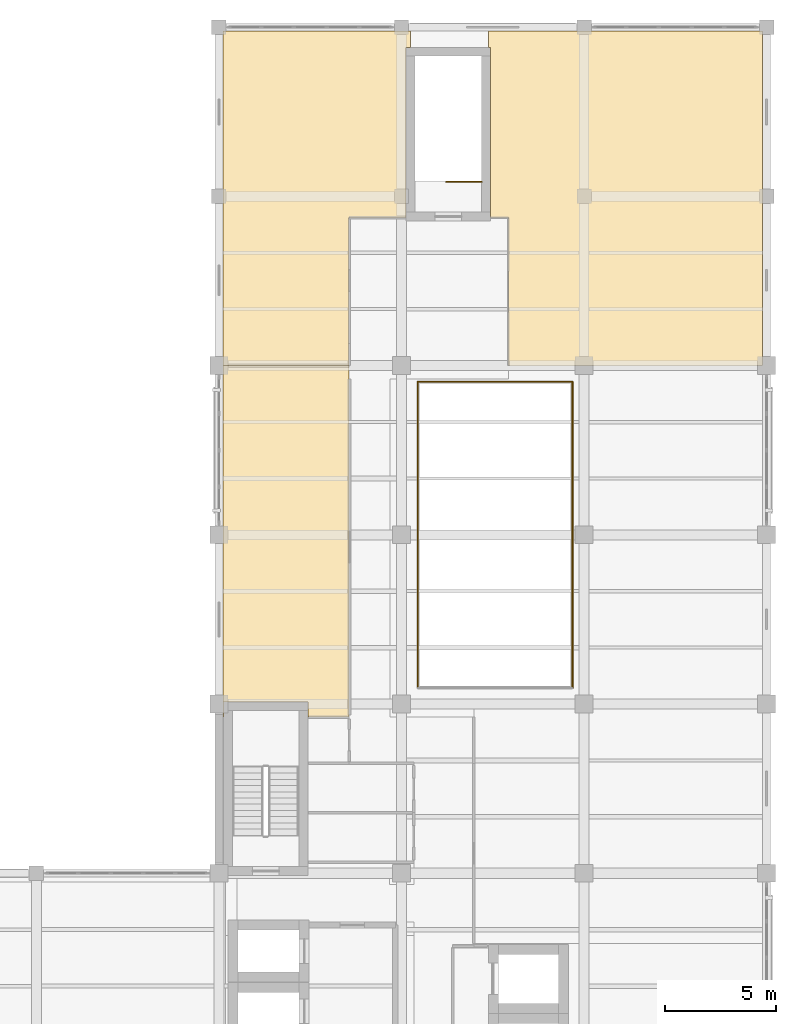
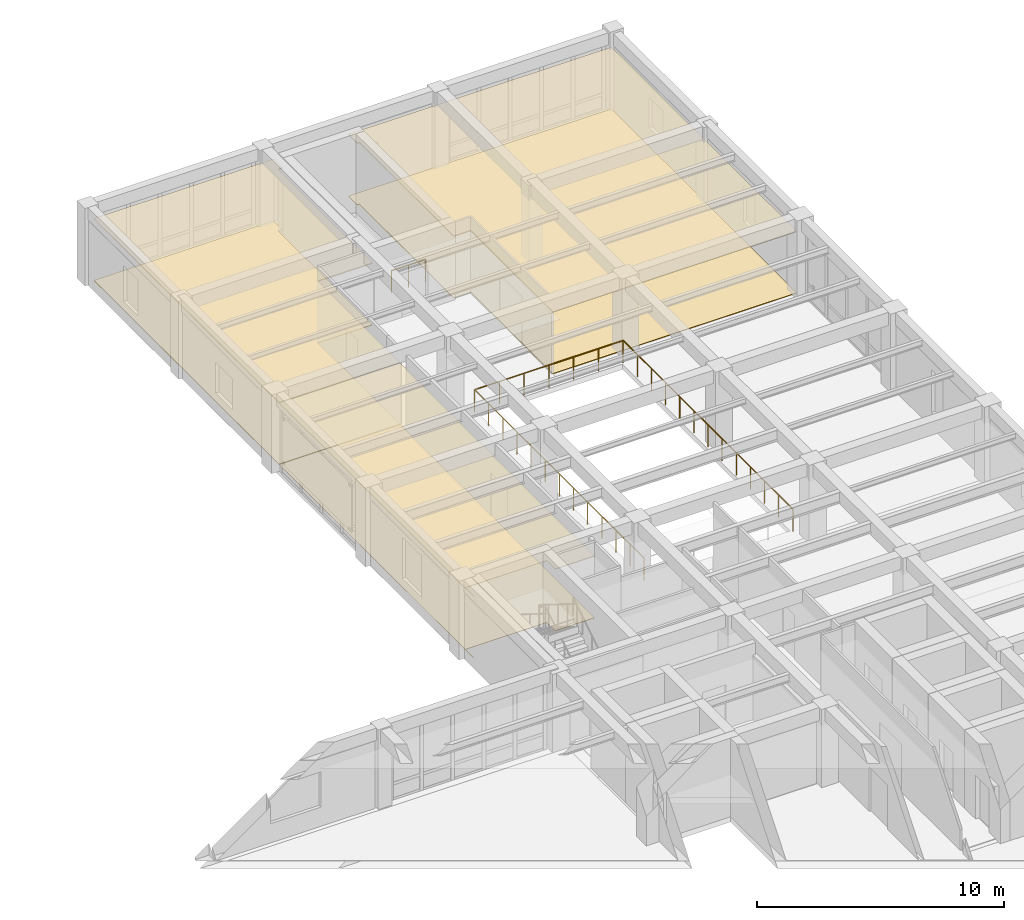
# One storey, part 15 of 15: 6 coverings, 4 railings.
"""IFC4 building model written with IfcOpenShell, lengths in metres."""

from ifc_helpers import new_model, si_unit, direction, frame, origin, origin_2d, place, context, subcontext, project, spatial, polyline, circle, outline, extrude, material, layer, layer_set, type_object, element, save


model = new_model("IFC4")

# Units and contexts
model_context = context("Model", 3, precision=1e-05, world=origin(), true_north=direction((0.0, 1.0)))
body_context = subcontext(model_context, "Body", "Model", "MODEL_VIEW")
ifc_project = project(units=[si_unit("LENGTHUNIT", "METRE"), si_unit("AREAUNIT", "SQUARE_METRE"), si_unit("VOLUMEUNIT", "CUBIC_METRE"), si_unit("PLANEANGLEUNIT", "RADIAN"), si_unit("MASSUNIT", "GRAM", prefix="KILO")], contexts=[model_context])

# Site, building, storey
site_placement = place(None, origin())
site = spatial("IfcSite", under=ifc_project, at=site_placement, CompositionType="ELEMENT")
building_placement = place(site_placement, origin())
building = spatial("IfcBuilding", under=site, at=building_placement, Name="Qandaris Square Conservatory and Botanical Centre", CompositionType="ELEMENT")
storey_placement = place(building_placement, frame((0.0, 0.0, 32.39990234375)))
storey = spatial("IfcBuildingStorey", under=building, at=storey_placement, Name="L07", CompositionType="ELEMENT", Elevation=32.39990234375)

# Coverings
ifc_material_1 = material(Name="Honed Qatari Limestone", Category="masonry")
ifc_layer_1 = layer(ifc_material_1, 0.030029296875)
ifc_layer_set_1 = layer_set([ifc_layer_1], Name="Honed Qatari Limestone")
covering_type_1 = type_object("IfcCoveringType", Name="Honed Qatari Limestone Concourse Paving", PredefinedType="FLOORING", material=ifc_layer_set_1)
covering_1_placement = place(storey_placement, origin())
element("IfcCovering", 1, at=covering_1_placement, inside=storey, type_object=covering_type_1, Name="Bioinformatics Collaborative Seminar Room Flooring", PredefinedType="FLOORING", context=body_context, shape_type="SweptSolid", body=[
    extrude(outline(polyline([(147.800048828125, 76.5), (147.60009765625, 76.5), (147.60009765625, 68.85009765625), (145.050048828125, 68.85009765625), (145.050048828125, 63.199951171875), (145.050048828125, 62.199951171875), (139.3798828125, 62.199951171875), (139.3798828125, 77.219970703125), (147.800048828125, 77.219970703125), (147.800048828125, 76.5)])), origin(), (0.0, 0.0, 1.0), 0.030029296875),
])
covering_2_placement = place(storey_placement, origin())
element("IfcCovering", 2, at=covering_2_placement, inside=storey, type_object=covering_type_1, Name="North Terrace Lounge L07 Flooring", PredefinedType="FLOORING", context=body_context, shape_type="SweptSolid", body=[
    extrude(outline(polyline([(152.199951171875, 62.199951171875), (152.199951171875, 68.85009765625), (151.39990234375, 68.85009765625), (151.39990234375, 76.5), (151.300048828125, 76.5), (151.300048828125, 77.219970703125), (163.6201171875, 77.219970703125), (163.6201171875, 62.199951171875), (152.199951171875, 62.199951171875)])), origin(), (0.0, 0.0, 1.0), 0.030029296875),
])
ifc_material_2 = material(Name="Gypsum Plasterboard", Category="gypsum")
ifc_layer_2 = layer(ifc_material_2, 0.02490234375)
ifc_layer_set_2 = layer_set([ifc_layer_2], Name="Gypsum Plasterboard")
covering_type_2 = type_object("IfcCoveringType", Name="Perforated Acoustic Lab Ceiling Tile", PredefinedType="CEILING", material=ifc_layer_set_2)
covering_3_placement = place(storey_placement, frame((0.0, 0.0, 3.050048828125)))
element("IfcCovering", 3, at=covering_3_placement, inside=storey, type_object=covering_type_2, Name="Isotope Biogeochemistry Specimen Prep Room Ceiling", PredefinedType="CEILING", context=body_context, shape_type="SweptSolid", body=[
    extrude(outline(polyline([(145.050048828125, 61.60009765625), (145.050048828125, 46.419921875), (143.199951171875, 46.419921875), (143.199951171875, 47.10009765625), (139.39990234375, 47.10009765625), (139.39990234375, 46.419921875), (139.3798828125, 46.419921875), (139.3798828125, 62.199951171875), (145.050048828125, 62.199951171875), (145.050048828125, 61.60009765625)])), origin(), (0.0, 0.0, 1.0), 0.025146484375),
])
ifc_material_3 = material(Name="Epoxy Resin Screed", Category="finish")
ifc_layer_3 = layer(ifc_material_3, 0.014892578125)
ifc_layer_set_3 = layer_set([ifc_layer_3], Name="Epoxy Resin Screed")
covering_type_3 = type_object("IfcCoveringType", Name="Seamless Epoxy Laboratory Flooring", PredefinedType="FLOORING", material=ifc_layer_set_3)
covering_4_placement = place(storey_placement, origin())
element("IfcCovering", 4, at=covering_4_placement, inside=storey, type_object=covering_type_3, Name="Isotope Biogeochemistry Specimen Prep Room Flooring", PredefinedType="FLOORING", context=body_context, shape_type="SweptSolid", body=[
    extrude(outline(polyline([(145.050048828125, 61.60009765625), (145.050048828125, 46.419921875), (143.199951171875, 46.419921875), (143.199951171875, 47.10009765625), (139.39990234375, 47.10009765625), (139.39990234375, 46.419921875), (139.3798828125, 46.419921875), (139.3798828125, 62.199951171875), (145.050048828125, 62.199951171875), (145.050048828125, 61.60009765625)])), origin(), (0.0, 0.0, 1.0), 0.01513671875),
])
ifc_material_4 = material(Name="Engineered Oak Timber", Category="wood")
ifc_layer_4 = layer(ifc_material_4, 0.0400390625)
ifc_layer_set_4 = layer_set([ifc_layer_4], Name="Engineered Oak Timber")
covering_type_4 = type_object("IfcCoveringType", Name="Slatted Oak Acoustic Gallery Ceiling", PredefinedType="CEILING", material=ifc_layer_set_4)
covering_5_placement = place(storey_placement, frame((0.0, 0.0, 3.050048828125)))
element("IfcCovering", 5, at=covering_5_placement, inside=storey, type_object=covering_type_4, Name="Bioinformatics Collaborative Seminar Room Ceiling", PredefinedType="CEILING", context=body_context, shape_type="SweptSolid", body=[
    extrude(outline(polyline([(147.800048828125, 76.5), (147.60009765625, 76.5), (147.60009765625, 68.85009765625), (145.050048828125, 68.85009765625), (145.050048828125, 63.199951171875), (145.050048828125, 62.199951171875), (139.3798828125, 62.199951171875), (139.3798828125, 77.219970703125), (147.800048828125, 77.219970703125), (147.800048828125, 76.5)])), origin(), (0.0, 0.0, 1.0), 0.0400390625),
])
covering_6_placement = place(storey_placement, frame((0.0, 0.0, 3.050048828125)))
element("IfcCovering", 6, at=covering_6_placement, inside=storey, type_object=covering_type_4, Name="North Terrace Lounge L07 Ceiling", PredefinedType="CEILING", context=body_context, shape_type="SweptSolid", body=[
    extrude(outline(polyline([(152.199951171875, 62.199951171875), (152.199951171875, 68.85009765625), (151.39990234375, 68.85009765625), (151.39990234375, 76.5), (151.300048828125, 76.5), (151.300048828125, 77.219970703125), (163.6201171875, 77.219970703125), (163.6201171875, 62.199951171875), (152.199951171875, 62.199951171875)])), origin(), (0.0, 0.0, 1.0), 0.0400390625),
])

# Railings
ifc_material_5 = material(Name="Stainless Steel", Category="steel")
railing_type = type_object("IfcRailingType", Name="Stairwell & Atrium Guardrail 1120mm", PredefinedType="GUARDRAIL", material=ifc_material_5)
railing_1_placement = place(storey_placement, frame((151.0, 70.449951171875, 0.0)))
element("IfcRailing", 7, at=railing_1_placement, inside=storey, type_object=railing_type, Name="L07 ST-3 top well guard 1", PredefinedType="GUARDRAIL", context=body_context, shape_type="SweptSolid", body=[
    extrude(circle(Radius=0.02392578125, at=origin_2d()), frame((0.0, 0.0, 1.09619140625), z_axis=(-1.0, 0.0, 0.0), x_axis=(0.0, -1.0, 0.0)), (0.0, 0.0, 1.0), 1.60009765625),
    extrude(circle(Radius=0.02099609375, at=origin_2d()), origin(), (0.0, 0.0, 1.0), 1.072021484375),
    extrude(circle(Radius=0.02099609375, at=origin_2d()), frame((-0.800048828125, 0.0, 0.0)), (0.0, 0.0, 1.0), 1.072021484375),
    extrude(circle(Radius=0.02099609375, at=origin_2d()), frame((-1.60009765625, 0.0, 0.0)), (0.0, 0.0, 1.0), 1.072021484375),
])
railing_2_placement = place(storey_placement, frame((155.080078125, 47.719970703125, 0.0)))
element("IfcRailing", 8, at=railing_2_placement, inside=storey, type_object=railing_type, Name="Atrium Void Guardrail TWR-L07-2", PredefinedType="GUARDRAIL", context=body_context, shape_type="SweptSolid", body=[
    extrude(circle(Radius=0.02392578125, at=origin_2d()), frame((0.0, 0.0, 1.09619140625), z_axis=(0.0, 1.0, 0.0), x_axis=(-1.0, 0.0, 0.0)), (0.0, 0.0, 1.0), 13.760009765625),
    extrude(circle(Radius=0.02099609375, at=origin_2d()), origin(), (0.0, 0.0, 1.0), 1.072021484375),
    extrude(circle(Radius=0.02099609375, at=origin_2d()), frame((0.0, 1.146728515625, 0.0)), (0.0, 0.0, 1.0), 1.072021484375),
    extrude(circle(Radius=0.02099609375, at=origin_2d()), frame((0.0, 2.29345703125, 0.0)), (0.0, 0.0, 1.0), 1.072021484375),
    extrude(circle(Radius=0.02099609375, at=origin_2d()), frame((0.0, 3.43994140625, 0.0)), (0.0, 0.0, 1.0), 1.072021484375),
    extrude(circle(Radius=0.02099609375, at=origin_2d()), frame((0.0, 4.586669921875, 0.0)), (0.0, 0.0, 1.0), 1.072021484375),
    extrude(circle(Radius=0.02099609375, at=origin_2d()), frame((0.0, 5.7333984375, 0.0)), (0.0, 0.0, 1.0), 1.072021484375),
    extrude(circle(Radius=0.02099609375, at=origin_2d()), frame((0.0, 6.8798828125, 0.0)), (0.0, 0.0, 1.0), 1.072021484375),
    extrude(circle(Radius=0.02099609375, at=origin_2d()), frame((0.0, 8.026611328125, 0.0)), (0.0, 0.0, 1.0), 1.072021484375),
    extrude(circle(Radius=0.02099609375, at=origin_2d()), frame((0.0, 9.17333984375, 0.0)), (0.0, 0.0, 1.0), 1.072021484375),
    extrude(circle(Radius=0.02099609375, at=origin_2d()), frame((0.0, 10.320068359375, 0.0)), (0.0, 0.0, 1.0), 1.072021484375),
    extrude(circle(Radius=0.02099609375, at=origin_2d()), frame((0.0, 11.466796875, 0.0)), (0.0, 0.0, 1.0), 1.072021484375),
    extrude(circle(Radius=0.02099609375, at=origin_2d()), frame((0.0, 12.61328125, 0.0)), (0.0, 0.0, 1.0), 1.072021484375),
    extrude(circle(Radius=0.02099609375, at=origin_2d()), frame((0.0, 13.760009765625, 0.0)), (0.0, 0.0, 1.0), 1.072021484375),
])
railing_3_placement = place(storey_placement, frame((155.080078125, 61.47998046875, 0.0)))
element("IfcRailing", 9, at=railing_3_placement, inside=storey, type_object=railing_type, Name="Atrium Void Guardrail TWR-L07-3", PredefinedType="GUARDRAIL", context=body_context, shape_type="SweptSolid", body=[
    extrude(circle(Radius=0.02392578125, at=origin_2d()), frame((0.0, 0.0, 1.09619140625), z_axis=(-1.0, 0.0, 0.0), x_axis=(0.0, -1.0, 0.0)), (0.0, 0.0, 1.0), 6.9599609375),
    extrude(circle(Radius=0.02099609375, at=origin_2d()), origin(), (0.0, 0.0, 1.0), 1.072021484375),
    extrude(circle(Radius=0.02099609375, at=origin_2d()), frame((-1.159912109375, 0.0, 0.0)), (0.0, 0.0, 1.0), 1.072021484375),
    extrude(circle(Radius=0.02099609375, at=origin_2d()), frame((-2.320068359375, 0.0, 0.0)), (0.0, 0.0, 1.0), 1.072021484375),
    extrude(circle(Radius=0.02099609375, at=origin_2d()), frame((-3.47998046875, 0.0, 0.0)), (0.0, 0.0, 1.0), 1.072021484375),
    extrude(circle(Radius=0.02099609375, at=origin_2d()), frame((-4.639892578125, 0.0, 0.0)), (0.0, 0.0, 1.0), 1.072021484375),
    extrude(circle(Radius=0.02099609375, at=origin_2d()), frame((-5.800048828125, 0.0, 0.0)), (0.0, 0.0, 1.0), 1.072021484375),
    extrude(circle(Radius=0.02099609375, at=origin_2d()), frame((-6.9599609375, 0.0, 0.0)), (0.0, 0.0, 1.0), 1.072021484375),
])
railing_4_placement = place(storey_placement, frame((148.1201171875, 61.47998046875, 0.0)))
element("IfcRailing", 10, at=railing_4_placement, inside=storey, type_object=railing_type, Name="Atrium Void Guardrail TWR-L07-4", PredefinedType="GUARDRAIL", context=body_context, shape_type="SweptSolid", body=[
    extrude(circle(Radius=0.02392578125, at=origin_2d()), frame((0.0, 0.0, 1.09619140625), z_axis=(0.0, -1.0, 0.0), x_axis=(1.0, 0.0, 0.0)), (0.0, 0.0, 1.0), 13.760009765625),
    extrude(circle(Radius=0.02099609375, at=origin_2d()), origin(), (0.0, 0.0, 1.0), 1.072021484375),
    extrude(circle(Radius=0.02099609375, at=origin_2d()), frame((0.0, -1.146728515625, 0.0)), (0.0, 0.0, 1.0), 1.072021484375),
    extrude(circle(Radius=0.02099609375, at=origin_2d()), frame((0.0, -2.29345703125, 0.0)), (0.0, 0.0, 1.0), 1.072021484375),
    extrude(circle(Radius=0.02099609375, at=origin_2d()), frame((0.0, -3.43994140625, 0.0)), (0.0, 0.0, 1.0), 1.072021484375),
    extrude(circle(Radius=0.02099609375, at=origin_2d()), frame((0.0, -4.586669921875, 0.0)), (0.0, 0.0, 1.0), 1.072021484375),
    extrude(circle(Radius=0.02099609375, at=origin_2d()), frame((0.0, -5.7333984375, 0.0)), (0.0, 0.0, 1.0), 1.072021484375),
    extrude(circle(Radius=0.02099609375, at=origin_2d()), frame((0.0, -6.8798828125, 0.0)), (0.0, 0.0, 1.0), 1.072021484375),
    extrude(circle(Radius=0.02099609375, at=origin_2d()), frame((0.0, -8.026611328125, 0.0)), (0.0, 0.0, 1.0), 1.072021484375),
    extrude(circle(Radius=0.02099609375, at=origin_2d()), frame((0.0, -9.17333984375, 0.0)), (0.0, 0.0, 1.0), 1.072021484375),
    extrude(circle(Radius=0.02099609375, at=origin_2d()), frame((0.0, -10.320068359375, 0.0)), (0.0, 0.0, 1.0), 1.072021484375),
    extrude(circle(Radius=0.02099609375, at=origin_2d()), frame((0.0, -11.466796875, 0.0)), (0.0, 0.0, 1.0), 1.072021484375),
    extrude(circle(Radius=0.02099609375, at=origin_2d()), frame((0.0, -12.61328125, 0.0)), (0.0, 0.0, 1.0), 1.072021484375),
    extrude(circle(Radius=0.02099609375, at=origin_2d()), frame((0.0, -13.760009765625, 0.0)), (0.0, 0.0, 1.0), 1.072021484375),
])

save(model, "model.ifc")
